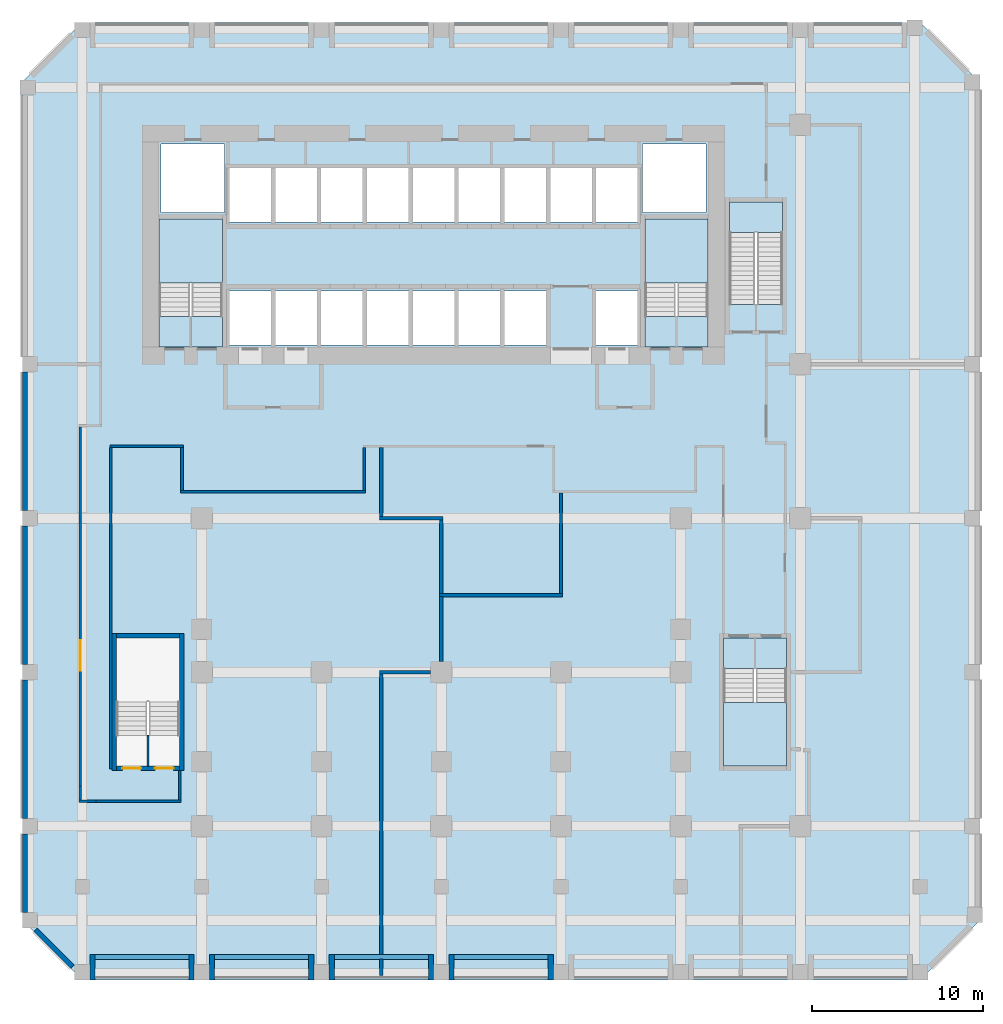
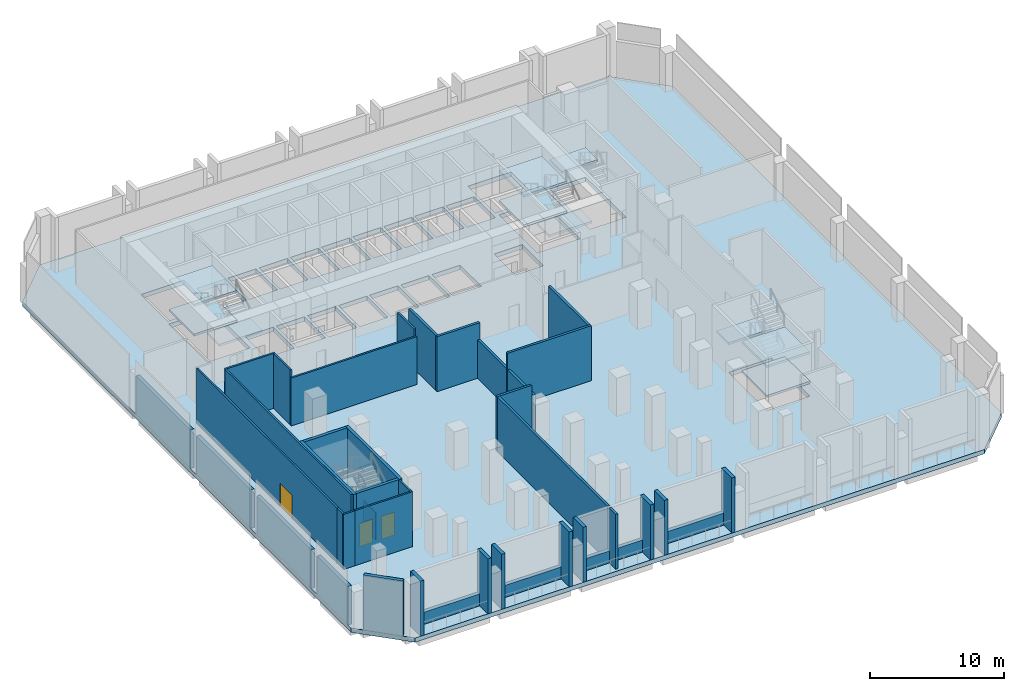
# One storey, part 2 of 10: 41 walls, 11 slabs, 3 doors, 3 openings, 4 elements without a shape of their own.
"""IFC4 building model written with IfcOpenShell, lengths in metres."""

from ifc_helpers import new_model, si_unit, direction, frame, frame_2d, origin, place, context, subcontext, project, spatial, polyline, rectangle, outline, extrude, source, transform, mapped, material, layer, layer_set, type_object, element, fill, aggregate, save


model = new_model("IFC4")

# Units and contexts
model_context = context("Model", 3, precision=1e-05, world=origin(), true_north=direction((0.0, 1.0)))
body_context = subcontext(model_context, "Body", "Model", "MODEL_VIEW")
ifc_project = project(units=[si_unit("LENGTHUNIT", "METRE"), si_unit("AREAUNIT", "SQUARE_METRE"), si_unit("VOLUMEUNIT", "CUBIC_METRE"), si_unit("PLANEANGLEUNIT", "RADIAN"), si_unit("MASSUNIT", "GRAM", prefix="KILO")], contexts=[model_context])

# Site, building, storey
site_placement = place(None, origin())
site = spatial("IfcSite", under=ifc_project, at=site_placement, CompositionType="ELEMENT")
building_placement = place(site_placement, origin())
building = spatial("IfcBuilding", under=site, at=building_placement, Name="Kilnfold Tower and Market Hall", CompositionType="ELEMENT")
storey_placement = place(building_placement, frame((0.0, 0.0, 95.199951171875)))
storey = spatial("IfcBuildingStorey", under=building, at=storey_placement, Name="L22 Refuge Transfer Level", CompositionType="ELEMENT", Elevation=95.199951171875)

# Slab
ifc_material_1 = material(Name="Concrete C45", Category="concrete")
ifc_layer_1 = layer(ifc_material_1, 0.39990234375)
ifc_layer_set_1 = layer_set([ifc_layer_1], Name="Concrete C45")
slab_type_1 = type_object("IfcSlabType", Name="FLOOR SLAB 400", PredefinedType="FLOOR", material=ifc_layer_set_1)
shared_shape_1 = source(origin(), body_context, "Body", "SweptSolid", [
    extrude(outline(polyline([(-19.5, -28.0), (29.5, -28.0), (33.0, -24.5), (33.0, 24.5), (29.5, 28.0), (-19.5, 28.0), (-23.0, 24.5), (-23.0, -24.5), (-19.5, -28.0)]), holes=[polyline([(-13.800537109375, -13.699462890625), (-17.49951171875, -13.699462890625), (-17.49951171875, -8.00048828125), (-13.800537109375, -8.00048828125), (-13.800537109375, -13.699462890625)]), polyline([(-14.99951171875, 10.800537109375), (-14.99951171875, 16.49951171875), (-11.300537109375, 16.49951171875), (-11.300537109375, 10.800537109375), (-14.99951171875, 10.800537109375)]), polyline([(-14.875, 16.875), (-14.875, 20.875), (-11.175048828125, 20.875), (-11.175048828125, 16.875), (-14.875, 16.875)]), polyline([(-10.885009765625, 9.125), (-10.885009765625, 12.27490234375), (-8.455078125, 12.27490234375), (-8.455078125, 9.125), (-10.885009765625, 9.125)]), polyline([(-8.455078125, 16.324951171875), (-10.885009765625, 16.324951171875), (-10.885009765625, 19.47509765625), (-8.455078125, 19.47509765625), (-8.455078125, 16.324951171875)]), polyline([(-8.205078125, 9.125), (-8.205078125, 12.27490234375), (-5.77490234375, 12.27490234375), (-5.77490234375, 9.125), (-8.205078125, 9.125)]), polyline([(-8.205078125, 16.324951171875), (-8.205078125, 19.47509765625), (-5.77490234375, 19.47509765625), (-5.77490234375, 16.324951171875), (-8.205078125, 16.324951171875)]), polyline([(-3.094970703125, 9.125), (-5.52490234375, 9.125), (-5.52490234375, 12.27490234375), (-3.094970703125, 12.27490234375), (-3.094970703125, 9.125)]), polyline([(-5.52490234375, 16.324951171875), (-5.52490234375, 19.47509765625), (-3.094970703125, 19.47509765625), (-3.094970703125, 16.324951171875), (-5.52490234375, 16.324951171875)]), polyline([(-2.844970703125, 9.125), (-2.844970703125, 12.27490234375), (-0.4150390625, 12.27490234375), (-0.4150390625, 9.125), (-2.844970703125, 9.125)]), polyline([(-0.4150390625, 16.324951171875), (-2.844970703125, 16.324951171875), (-2.844970703125, 19.47509765625), (-0.4150390625, 19.47509765625), (-0.4150390625, 16.324951171875)]), polyline([(-0.1650390625, 9.125), (-0.1650390625, 12.27490234375), (2.264892578125, 12.27490234375), (2.264892578125, 9.125), (-0.1650390625, 9.125)]), polyline([(-0.1650390625, 16.324951171875), (-0.1650390625, 19.47509765625), (2.264892578125, 19.47509765625), (2.264892578125, 16.324951171875), (-0.1650390625, 16.324951171875)]), polyline([(2.514892578125, 9.125), (2.514892578125, 12.27490234375), (4.945068359375, 12.27490234375), (4.945068359375, 9.125), (2.514892578125, 9.125)]), polyline([(2.514892578125, 16.324951171875), (2.514892578125, 19.47509765625), (4.945068359375, 19.47509765625), (4.945068359375, 16.324951171875), (2.514892578125, 16.324951171875)]), polyline([(7.625, 9.125), (5.195068359375, 9.125), (5.195068359375, 12.27490234375), (7.625, 12.27490234375), (7.625, 9.125)]), polyline([(5.195068359375, 16.324951171875), (5.195068359375, 19.47509765625), (7.625, 19.47509765625), (7.625, 16.324951171875), (5.195068359375, 16.324951171875)]), polyline([(10.304931640625, 16.324951171875), (7.875, 16.324951171875), (7.875, 19.47509765625), (10.304931640625, 19.47509765625), (10.304931640625, 16.324951171875)]), polyline([(10.554931640625, 9.125), (10.554931640625, 12.27490234375), (12.985107421875, 12.27490234375), (12.985107421875, 9.125), (10.554931640625, 9.125)]), polyline([(10.554931640625, 16.324951171875), (10.554931640625, 19.47509765625), (12.985107421875, 19.47509765625), (12.985107421875, 16.324951171875), (10.554931640625, 16.324951171875)]), polyline([(13.27490234375, 16.875), (13.27490234375, 20.875), (16.97509765625, 20.875), (16.97509765625, 16.875), (13.27490234375, 16.875)]), polyline([(13.400390625, 10.800537109375), (13.400390625, 16.49951171875), (17.099609375, 16.49951171875), (17.099609375, 10.800537109375), (13.400390625, 10.800537109375)]), polyline([(18.00048828125, -9.800537109375), (21.699462890625, -9.800537109375), (21.699462890625, -15.49951171875), (18.00048828125, -15.49951171875), (18.00048828125, -9.800537109375)]), polyline([(21.449462890625, 11.50048828125), (18.3505859375, 11.50048828125), (18.3505859375, 17.49951171875), (21.449462890625, 17.49951171875), (21.449462890625, 11.50048828125)])]), origin(), (0.0, 0.0, 1.0), 0.400146484375),
])
slab_1_placement = place(storey_placement, frame((0.0, 0.0, -0.400146484375)))
element("IfcSlab", 1, at=slab_1_placement, inside=storey, type_object=slab_type_1, Name="Floor slab L22", PredefinedType="FLOOR", context=body_context, shape_type="MappedRepresentation", body=[
    mapped(shared_shape_1, transform((0.0, 0.0, 0.0))),
])

# Stair, slabs
ifc_material_2 = material(Name="Concrete C40/50", Category="concrete")
stair_type_1 = type_object("IfcStairType", Name="CORE STAIR 1800", PredefinedType="HALF_TURN_STAIR", material=ifc_material_2)
stair_1_placement = place(storey_placement, origin())
stair_1 = element("IfcStair", 2, at=stair_1_placement, inside=storey, type_object=stair_type_1, Name="L22 Refuge Transfer Level ST1", PredefinedType="HALF_TURN_STAIR")
ifc_material_3 = material(Name="Concrete C40/50", Category="concrete")
ifc_layer_2 = layer(ifc_material_3, 0.199951171875)
ifc_layer_set_2 = layer_set([ifc_layer_2], Name="Concrete C40/50")
slab_type_2 = type_object("IfcSlabType", Name="CORE STAIR LANDING 200", PredefinedType="LANDING", material=ifc_layer_set_2)
shared_shape_2 = source(origin(), body_context, "Body", "SweptSolid", [
    extrude(outline(polyline([(-11.300048828125, 9.0), (-11.300048828125, 10.800048828125), (-15.0, 10.800048828125), (-15.0, 9.0), (-11.300048828125, 9.0)])), origin(), (0.0, 0.0, 1.0), 0.199951171875),
])
slab_2_placement = place(storey_placement, frame((0.0, 0.0, 2.5)))
slab_2 = element("IfcSlab", 3, at=slab_2_placement, type_object=slab_type_2, Name="ST1 landing 2", PredefinedType="LANDING", context=body_context, shape_type="MappedRepresentation", body=[
    mapped(shared_shape_2, transform((0.0, 0.0, 0.0))),
])
shared_shape_3 = source(origin(), body_context, "Body", "SweptSolid", [
    extrude(outline(polyline([(-11.300048828125, 12.760009765625), (-11.300048828125, 16.5), (-15.0, 16.5), (-15.0, 12.760009765625), (-11.300048828125, 12.760009765625)])), origin(), (0.0, 0.0, 1.0), 0.199951171875),
])
slab_3_placement = place(storey_placement, frame((0.0, 0.0, 1.150146484375)))
slab_3 = element("IfcSlab", 4, at=slab_3_placement, type_object=slab_type_2, Name="ST1 landing 1", PredefinedType="LANDING", context=body_context, shape_type="MappedRepresentation", body=[
    mapped(shared_shape_3, transform((0.0, 0.0, 0.0))),
])
slab_4_placement = place(storey_placement, frame((0.0, 0.0, 3.85009765625)))
slab_4 = element("IfcSlab", 5, at=slab_4_placement, type_object=slab_type_2, Name="ST1 landing 3", PredefinedType="LANDING", context=body_context, shape_type="MappedRepresentation", body=[
    mapped(shared_shape_3, transform((0.0, 0.0, 0.0))),
])
aggregate(stair_1, [slab_3, slab_2, slab_4])

stair_2_placement = place(storey_placement, origin())
stair_2 = element("IfcStair", 6, at=stair_2_placement, inside=storey, type_object=stair_type_1, Name="L22 Refuge Transfer Level ST2", PredefinedType="HALF_TURN_STAIR")
shared_shape_4 = source(origin(), body_context, "Body", "SweptSolid", [
    extrude(outline(polyline([(17.10009765625, 9.0), (17.10009765625, 10.800048828125), (13.39990234375, 10.800048828125), (13.39990234375, 9.0), (17.10009765625, 9.0)])), origin(), (0.0, 0.0, 1.0), 0.199951171875),
])
slab_5_placement = place(storey_placement, frame((0.0, 0.0, 2.5)))
slab_5 = element("IfcSlab", 7, at=slab_5_placement, type_object=slab_type_2, Name="ST2 landing 2", PredefinedType="LANDING", context=body_context, shape_type="MappedRepresentation", body=[
    mapped(shared_shape_4, transform((0.0, 0.0, 0.0))),
])
shared_shape_5 = source(origin(), body_context, "Body", "SweptSolid", [
    extrude(outline(polyline([(17.10009765625, 12.760009765625), (17.10009765625, 16.5), (13.39990234375, 16.5), (13.39990234375, 12.760009765625), (17.10009765625, 12.760009765625)])), origin(), (0.0, 0.0, 1.0), 0.199951171875),
])
slab_6_placement = place(storey_placement, frame((0.0, 0.0, 1.150146484375)))
slab_6 = element("IfcSlab", 8, at=slab_6_placement, type_object=slab_type_2, Name="ST2 landing 1", PredefinedType="LANDING", context=body_context, shape_type="MappedRepresentation", body=[
    mapped(shared_shape_5, transform((0.0, 0.0, 0.0))),
])
slab_7_placement = place(storey_placement, frame((0.0, 0.0, 3.85009765625)))
slab_7 = element("IfcSlab", 9, at=slab_7_placement, type_object=slab_type_2, Name="ST2 landing 3", PredefinedType="LANDING", context=body_context, shape_type="MappedRepresentation", body=[
    mapped(shared_shape_5, transform((0.0, 0.0, 0.0))),
])
aggregate(stair_2, [slab_6, slab_5, slab_7])

stair_3_placement = place(storey_placement, origin())
stair_3 = element("IfcStair", 10, at=stair_3_placement, inside=storey, type_object=stair_type_1, Name="L22 Refuge Transfer Level ST4", PredefinedType="HALF_TURN_STAIR")
shared_shape_6 = source(origin(), body_context, "Body", "SweptSolid", [
    extrude(outline(polyline([(18.0, -8.0), (18.0, -9.800048828125), (21.699951171875, -9.800048828125), (21.699951171875, -8.0), (18.0, -8.0)])), origin(), (0.0, 0.0, 1.0), 0.199951171875),
])
slab_8_placement = place(storey_placement, frame((0.0, 0.0, 2.5)))
slab_8 = element("IfcSlab", 11, at=slab_8_placement, type_object=slab_type_2, Name="ST4 landing 2", PredefinedType="LANDING", context=body_context, shape_type="MappedRepresentation", body=[
    mapped(shared_shape_6, transform((0.0, 0.0, 0.0))),
])
shared_shape_7 = source(origin(), body_context, "Body", "SweptSolid", [
    extrude(outline(polyline([(18.0, -11.760009765625), (18.0, -15.5), (21.699951171875, -15.5), (21.699951171875, -11.760009765625), (18.0, -11.760009765625)])), origin(), (0.0, 0.0, 1.0), 0.199951171875),
])
slab_9_placement = place(storey_placement, frame((0.0, 0.0, 1.150146484375)))
slab_9 = element("IfcSlab", 12, at=slab_9_placement, type_object=slab_type_2, Name="ST4 landing 1", PredefinedType="LANDING", context=body_context, shape_type="MappedRepresentation", body=[
    mapped(shared_shape_7, transform((0.0, 0.0, 0.0))),
])
slab_10_placement = place(storey_placement, frame((0.0, 0.0, 3.85009765625)))
slab_10 = element("IfcSlab", 13, at=slab_10_placement, type_object=slab_type_2, Name="ST4 landing 3", PredefinedType="LANDING", context=body_context, shape_type="MappedRepresentation", body=[
    mapped(shared_shape_7, transform((0.0, 0.0, 0.0))),
])
aggregate(stair_3, [slab_9, slab_8, slab_10])

# Stair, slab
ifc_material_4 = material(Name="Concrete C40/50", Category="concrete")
stair_type_2 = type_object("IfcStairType", Name="CORE STAIR 1500", PredefinedType="HALF_TURN_STAIR", material=ifc_material_4)
stair_4_placement = place(storey_placement, origin())
stair_4 = element("IfcStair", 14, at=stair_4_placement, inside=storey, type_object=stair_type_2, Name="L22 Refuge Transfer Level ST5", PredefinedType="HALF_TURN_STAIR")
shared_shape_8 = source(origin(), body_context, "Body", "SweptSolid", [
    extrude(outline(polyline([(21.449951171875, 15.699951171875), (21.449951171875, 17.5), (18.35009765625, 17.5), (18.35009765625, 15.699951171875), (21.449951171875, 15.699951171875)])), origin(), (0.0, 0.0, 1.0), 0.199951171875),
])
slab_11_placement = place(storey_placement, frame((0.0, 0.0, 2.5)))
slab_11 = element("IfcSlab", 15, at=slab_11_placement, type_object=slab_type_2, Name="ST5 landing 1", PredefinedType="LANDING", context=body_context, shape_type="MappedRepresentation", body=[
    mapped(shared_shape_8, transform((0.0, 0.0, 0.0))),
])
aggregate(stair_4, [slab_11])

# Wall, opening, door
ifc_material_5 = material(Name="Gypsum board on steel studs", Category="steel")
ifc_layer_3 = layer(ifc_material_5, 0.14990234375)
ifc_layer_set_3 = layer_set([ifc_layer_3], Name="Gypsum board on steel studs")
wall_type_1 = type_object("IfcWallType", Name="WALL CORRIDOR 150", PredefinedType="PARTITIONING", material=ifc_layer_set_3)
wall_1_placement = place(storey_placement, frame((-19.60009765625, 4.324951171875, 0.0), z_axis=(0.0, 0.0, 1.0), x_axis=(0.0, -1.0, 0.0)))
wall_1 = element("IfcWall", 16, at=wall_1_placement, inside=storey, type_object=wall_type_1, Name="Partition LY15.1", PredefinedType="PARTITIONING", context=body_context, shape_type="SweptSolid", body=[
    extrude(rectangle(XDim=20.972900390625, YDim=0.14990234375, at=frame_2d((10.486328125, 0.0))), origin(), (0.0, 0.0, 1.0), 5.0),
])
opening_1_placement = place(wall_1_placement, frame((12.447998046875, 0.0, 0.0)))
opening_1 = element("IfcOpeningElement", 17, at=opening_1_placement, cuts=wall_1, Name="Opening D5", PredefinedType="OPENING", context=body_context, shape_type="SweptSolid", body=[
    extrude(rectangle(XDim=1.800048828125, YDim=2.10009765625, at=frame_2d((0.89990234375, 1.050048828125))), frame((0.0, 0.0849609375, 0.0), z_axis=(0.0, -1.0, 0.0), x_axis=(1.0, 0.0, 0.0)), (0.0, 0.0, 1.0), 0.169921875),
])
ifc_material_6 = material(Name="Timber veneer door leaf in steel frame", Category="steel")
door_type_1 = type_object("IfcDoorType", Name="DOOR DOUBLE 1800 X2100", OperationType="NOTDEFINED", PredefinedType="DOOR", material=ifc_material_6)
door_1_placement = place(opening_1_placement, origin())
door_1 = element("IfcDoor", 18, at=door_1_placement, inside=storey, type_object=door_type_1, Name="Door D5", OperationType="DOUBLE_DOOR_SINGLE_SWING", OverallHeight=2.10009765625, OverallWidth=1.800048828125, PredefinedType="DOOR", context=body_context, shape_type="SweptSolid", body=[
    extrude(rectangle(XDim=1.800048828125, YDim=2.10009765625, at=frame_2d((0.89990234375, 1.050048828125))), frame((0.0, 0.02490234375, 0.0), z_axis=(0.0, -1.0, 0.0), x_axis=(1.0, 0.0, 0.0)), (0.0, 0.0, 1.0), 0.050048828125),
])
fill(opening_1, door_1)

# Walls
wall_2_placement = place(storey_placement, frame((-3.0, 0.625, 0.0), z_axis=(0.0, 0.0, 1.0), x_axis=(0.0, 1.0, 0.0)))
element("IfcWall", 19, at=wall_2_placement, inside=storey, type_object=wall_type_1, Name="Partition LY15.5", PredefinedType="PARTITIONING", context=body_context, shape_type="SweptSolid", body=[
    extrude(rectangle(XDim=2.5, YDim=0.14990234375, at=frame_2d((1.25, 0.0))), origin(), (0.0, 0.0, 1.0), 5.0),
])
wall_3_placement = place(storey_placement, frame((-13.735107421875, 0.550048828125, 0.0), z_axis=(0.0, 0.0, 1.0), x_axis=(1.0, 0.0, 0.0)))
element("IfcWall", 20, at=wall_3_placement, inside=storey, type_object=wall_type_1, Name="Partition LY15.6", PredefinedType="PARTITIONING", context=body_context, shape_type="SweptSolid", body=[
    extrude(rectangle(XDim=10.81005859375, YDim=0.14990234375, at=frame_2d((5.405029296875, 0.0))), origin(), (0.0, 0.0, 1.0), 4.35009765625),
])
wall_4_placement = place(storey_placement, frame((-13.659912109375, 3.125, 0.0), z_axis=(0.0, 0.0, 1.0), x_axis=(0.0, -1.0, 0.0)))
element("IfcWall", 21, at=wall_4_placement, inside=storey, type_object=wall_type_1, Name="Partition LY15.7", PredefinedType="PARTITIONING", context=body_context, shape_type="SweptSolid", body=[
    extrude(rectangle(XDim=2.5, YDim=0.14990234375, at=frame_2d((1.25, 0.0))), origin(), (0.0, 0.0, 1.0), 5.0),
])
wall_5_placement = place(storey_placement, frame((-17.875, 3.199951171875, 0.0), z_axis=(0.0, 0.0, 1.0), x_axis=(1.0, 0.0, 0.0)))
element("IfcWall", 22, at=wall_5_placement, inside=storey, type_object=wall_type_1, Name="Partition LY15.8", PredefinedType="PARTITIONING", context=body_context, shape_type="SweptSolid", body=[
    extrude(rectangle(XDim=4.2900390625, YDim=0.14990234375, at=frame_2d((2.14501953125, 0.0))), origin(), (0.0, 0.0, 1.0), 5.0),
])
wall_6_placement = place(storey_placement, frame((-17.830078125, -15.675048828125, 0.0), z_axis=(0.0, 0.0, 1.0), x_axis=(0.0, 1.0, 0.0)))
element("IfcWall", 23, at=wall_6_placement, inside=storey, type_object=wall_type_1, Name="Partition LY15.9", PredefinedType="PARTITIONING", context=body_context, shape_type="SweptSolid", body=[
    extrude(rectangle(XDim=18.800048828125, YDim=0.14990234375, at=frame_2d((9.39990234375, 0.0))), origin(), (0.0, 0.0, 1.0), 5.0),
])
wall_7_placement = place(storey_placement, frame((-13.800048828125, -17.47509765625, 0.0), z_axis=(0.0, 0.0, 1.0), x_axis=(0.0, 1.0, 0.0)))
element("IfcWall", 24, at=wall_7_placement, inside=storey, type_object=wall_type_1, Name="Partition LY15.10", PredefinedType="PARTITIONING", context=body_context, shape_type="SweptSolid", body=[
    extrude(rectangle(XDim=1.72509765625, YDim=0.14990234375, at=frame_2d((0.862548828125, 0.0))), origin(), (0.0, 0.0, 1.0), 5.0),
])
wall_8_placement = place(storey_placement, frame((-18.697998046875, -17.550048828125, 0.0), z_axis=(0.0, 0.0, 1.0), x_axis=(1.0, 0.0, 0.0)))
element("IfcWall", 25, at=wall_8_placement, inside=storey, type_object=wall_type_1, Name="Partition LY15.11", PredefinedType="PARTITIONING", context=body_context, shape_type="SweptSolid", body=[
    extrude(rectangle(XDim=4.972900390625, YDim=0.14990234375, at=frame_2d((2.486328125, 0.0))), origin(), (0.0, 0.0, 1.0), 5.0),
])
wall_9_placement = place(storey_placement, frame((-19.677001953125, -17.552001953125, 0.0), z_axis=(0.0, 0.0, 1.0), x_axis=(1.0, 0.0, 0.0)))
element("IfcWall", 26, at=wall_9_placement, inside=storey, type_object=wall_type_1, Name="Partition LY15.12", PredefinedType="PARTITIONING", context=body_context, shape_type="SweptSolid", body=[
    extrude(rectangle(XDim=0.97900390625, YDim=0.14990234375, at=frame_2d((0.489501953125, 0.0))), origin(), (0.0, 0.0, 1.0), 5.0),
])
wall_10_placement = place(storey_placement, frame((-19.60205078125, -16.64794921875, 0.0), z_axis=(0.0, 0.0, 1.0), x_axis=(0.0, -1.0, 0.0)))
element("IfcWall", 27, at=wall_10_placement, inside=storey, type_object=wall_type_1, Name="Partition LY15.13", PredefinedType="PARTITIONING", context=body_context, shape_type="SweptSolid", body=[
    extrude(rectangle(XDim=0.8291015625, YDim=0.14990234375, at=frame_2d((0.41455078125, 0.0))), origin(), (0.0, 0.0, 1.0), 5.0),
])
ifc_material_7 = material(Name="Gypsum board on steel studs", Category="steel")
ifc_layer_4 = layer(ifc_material_7, 0.199951171875)
ifc_layer_set_4 = layer_set([ifc_layer_4], Name="Gypsum board on steel studs")
wall_type_2 = type_object("IfcWallType", Name="WALL PARTY 200", PredefinedType="PARTITIONING", material=ifc_layer_set_4)
wall_11_placement = place(storey_placement, frame((-2.0, -0.89990234375, 0.0), z_axis=(0.0, 0.0, 1.0), x_axis=(0.0, 1.0, 0.0)))
element("IfcWall", 28, at=wall_11_placement, inside=storey, type_object=wall_type_2, Name="Partition LY15.27", PredefinedType="PARTITIONING", context=body_context, shape_type="SweptSolid", body=[
    extrude(rectangle(XDim=4.02294921875, YDim=0.199951171875, at=frame_2d((2.011474609375, 0.0))), origin(), (0.0, 0.0, 1.0), 5.0),
])
wall_12_placement = place(storey_placement, frame((-2.10009765625, -1.0, 0.0), z_axis=(0.0, 0.0, 1.0), x_axis=(1.0, 0.0, 0.0)))
element("IfcWall", 29, at=wall_12_placement, inside=storey, type_object=wall_type_2, Name="Partition LY15.28", PredefinedType="PARTITIONING", context=body_context, shape_type="SweptSolid", body=[
    extrude(rectangle(XDim=3.7001953125, YDim=0.199951171875, at=frame_2d((1.85009765625, 0.0))), origin(), (0.0, 0.0, 1.0), 5.0),
])
wall_13_placement = place(storey_placement, frame((1.5, -5.409912109375, 0.0), z_axis=(0.0, 0.0, 1.0), x_axis=(0.0, 1.0, 0.0)))
element("IfcWall", 30, at=wall_13_placement, inside=storey, type_object=wall_type_2, Name="Partition LY15.29", PredefinedType="PARTITIONING", context=body_context, shape_type="SweptSolid", body=[
    extrude(rectangle(XDim=4.309814453125, YDim=0.199951171875, at=frame_2d((2.15478515625, 0.0))), origin(), (0.0, 0.0, 1.0), 3.5),
])
wall_14_placement = place(storey_placement, frame((1.5, -9.375, 0.0), z_axis=(0.0, 0.0, 1.0), x_axis=(0.0, 1.0, 0.0)))
element("IfcWall", 31, at=wall_14_placement, inside=storey, type_object=wall_type_2, Name="Partition LY15.30", PredefinedType="PARTITIONING", context=body_context, shape_type="SweptSolid", body=[
    extrude(rectangle(XDim=3.784912109375, YDim=0.199951171875, at=frame_2d((1.892578125, 0.0))), origin(), (0.0, 0.0, 1.0), 3.5),
])
wall_15_placement = place(storey_placement, frame((-2.10009765625, -10.0, 0.0), z_axis=(0.0, 0.0, 1.0), x_axis=(1.0, 0.0, 0.0)))
element("IfcWall", 32, at=wall_15_placement, inside=storey, type_object=wall_type_2, Name="Partition LY15.31", PredefinedType="PARTITIONING", context=body_context, shape_type="SweptSolid", body=[
    extrude(rectangle(XDim=2.97509765625, YDim=0.199951171875, at=frame_2d((1.487548828125, 0.0))), origin(), (0.0, 0.0, 1.0), 5.0),
])
wall_16_placement = place(storey_placement, frame((-2.0, -27.75, 0.0), z_axis=(0.0, 0.0, 1.0), x_axis=(0.0, 1.0, 0.0)))
element("IfcWall", 33, at=wall_16_placement, inside=storey, type_object=wall_type_2, Name="Partition LY15.32", PredefinedType="PARTITIONING", context=body_context, shape_type="SweptSolid", body=[
    extrude(rectangle(XDim=0.97998046875, YDim=0.199951171875, at=frame_2d((0.489990234375, 0.0))), origin(), (0.0, 0.0, 1.0), 5.0),
])
wall_17_placement = place(storey_placement, frame((-2.0, -26.530029296875, 0.0), z_axis=(0.0, 0.0, 1.0), x_axis=(0.0, 1.0, 0.0)))
element("IfcWall", 34, at=wall_17_placement, inside=storey, type_object=wall_type_2, Name="Partition LY15.33", PredefinedType="PARTITIONING", context=body_context, shape_type="SweptSolid", body=[
    extrude(rectangle(XDim=16.429931640625, YDim=0.199951171875, at=frame_2d((8.21484375, 0.0))), origin(), (0.0, 0.0, 1.0), 5.0),
])
wall_18_placement = place(storey_placement, frame((1.39990234375, -5.5, 0.0), z_axis=(0.0, 0.0, 1.0), x_axis=(1.0, 0.0, 0.0)))
element("IfcWall", 35, at=wall_18_placement, inside=storey, type_object=wall_type_2, Name="Partition LY15.35", PredefinedType="PARTITIONING", context=body_context, shape_type="SweptSolid", body=[
    extrude(rectangle(XDim=7.2001953125, YDim=0.199951171875, at=frame_2d((3.60009765625, 0.0))), origin(), (0.0, 0.0, 1.0), 5.0),
])
wall_19_placement = place(storey_placement, frame((8.5, -5.39990234375, 0.0), z_axis=(0.0, 0.0, 1.0), x_axis=(0.0, 1.0, 0.0)))
element("IfcWall", 36, at=wall_19_placement, inside=storey, type_object=wall_type_2, Name="Partition LY15.36", PredefinedType="PARTITIONING", context=body_context, shape_type="SweptSolid", body=[
    extrude(rectangle(XDim=5.872802734375, YDim=0.199951171875, at=frame_2d((2.9365234375, 0.0))), origin(), (0.0, 0.0, 1.0), 5.0),
])

# Wall, openings, doors
ifc_material_8 = material(Name="Concrete C80", Category="concrete")
ifc_layer_5 = layer(ifc_material_8, 0.25)
ifc_layer_set_5 = layer_set([ifc_layer_5], Name="Concrete C80")
wall_type_3 = type_object("IfcWallType", Name="CORE WALL 250 C80", PredefinedType="SHEAR", material=ifc_layer_set_5)
shared_shape_9 = source(origin(), body_context, "Body", "SweptSolid", [
    extrude(rectangle(XDim=3.699951171875, YDim=0.25, at=frame_2d((1.85009765625, 0.0))), origin(), (0.0, 0.0, 1.0), 5.0),
])
wall_20_placement = place(storey_placement, frame((-17.5, -15.625, 0.0), z_axis=(0.0, 0.0, 1.0), x_axis=(1.0, 0.0, 0.0)))
wall_20 = element("IfcWall", 37, at=wall_20_placement, inside=storey, type_object=wall_type_3, Name="Stair enclosure ST3", PredefinedType="SHEAR", context=body_context, shape_type="MappedRepresentation", body=[
    mapped(shared_shape_9, transform((0.0, 0.0, 0.0))),
])
opening_2_placement = place(wall_20_placement, frame((0.35009765625, 0.0, 0.0)))
opening_2 = element("IfcOpeningElement", 38, at=opening_2_placement, cuts=wall_20, Name="Opening SD3", PredefinedType="OPENING", context=body_context, shape_type="SweptSolid", body=[
    extrude(rectangle(XDim=1.10009765625, YDim=2.10009765625, at=frame_2d((0.550048828125, 1.050048828125))), frame((0.0, 0.135009765625, 0.0), z_axis=(0.0, -1.0, 0.0), x_axis=(1.0, 0.0, 0.0)), (0.0, 0.0, 1.0), 0.27001953125),
])
opening_3_placement = place(wall_20_placement, frame((2.25, 0.0, 0.0)))
opening_3 = element("IfcOpeningElement", 39, at=opening_3_placement, cuts=wall_20, Name="Opening SD3", PredefinedType="OPENING", context=body_context, shape_type="SweptSolid", body=[
    extrude(rectangle(XDim=1.10009765625, YDim=2.10009765625, at=frame_2d((0.550048828125, 1.050048828125))), frame((0.0, 0.135009765625, 0.0), z_axis=(0.0, -1.0, 0.0), x_axis=(1.0, 0.0, 0.0)), (0.0, 0.0, 1.0), 0.27001953125),
])
ifc_material_9 = material(Name="Steel door set with fire-resisting leaf", Category="steel")
door_type_2 = type_object("IfcDoorType", Name="STAIR REFUGE DOOR 1100X2100", OperationType="NOTDEFINED", PredefinedType="DOOR", material=ifc_material_9)
door_2_placement = place(opening_2_placement, origin())
door_2 = element("IfcDoor", 40, at=door_2_placement, inside=storey, type_object=door_type_2, Name="Exit stair ST3 door from refuge", OperationType="SINGLE_SWING_RIGHT", OverallHeight=2.10009765625, OverallWidth=1.10009765625, PredefinedType="DOOR", context=body_context, shape_type="SweptSolid", body=[
    extrude(rectangle(XDim=1.10009765625, YDim=2.10009765625, at=frame_2d((0.550048828125, 1.050048828125))), frame((0.0, 0.02490234375, 0.0), z_axis=(0.0, -1.0, 0.0), x_axis=(1.0, 0.0, 0.0)), (0.0, 0.0, 1.0), 0.050048828125),
])
fill(opening_2, door_2)
door_3_placement = place(opening_3_placement, origin())
door_3 = element("IfcDoor", 41, at=door_3_placement, inside=storey, type_object=door_type_2, Name="Exit stair ST3 door to refuge", OperationType="SINGLE_SWING_LEFT", OverallHeight=2.10009765625, OverallWidth=1.10009765625, PredefinedType="DOOR", context=body_context, shape_type="SweptSolid", body=[
    extrude(rectangle(XDim=1.10009765625, YDim=2.10009765625, at=frame_2d((0.550048828125, 1.050048828125))), frame((0.0, 0.02490234375, 0.0), z_axis=(0.0, -1.0, 0.0), x_axis=(1.0, 0.0, 0.0)), (0.0, 0.0, 1.0), 0.050048828125),
])
fill(opening_3, door_3)

# Walls
wall_21_placement = place(storey_placement, frame((-17.5, -7.875, 0.0), z_axis=(0.0, 0.0, 1.0), x_axis=(1.0, 0.0, 0.0)))
element("IfcWall", 42, at=wall_21_placement, inside=storey, type_object=wall_type_3, Name="Stair enclosure ST3", PredefinedType="SHEAR", context=body_context, shape_type="MappedRepresentation", body=[
    mapped(shared_shape_9, transform((0.0, 0.0, 0.0))),
])
shared_shape_10 = source(origin(), body_context, "Body", "SweptSolid", [
    extrude(rectangle(XDim=8.0, YDim=0.25, at=frame_2d((4.0, 0.0))), origin(), (0.0, 0.0, 1.0), 5.0),
])
for number, where, z_axis, x_axis, name in (
    (43, (-17.625, -15.75, 0.0), (0.0, 0.0, 1.0), (0.0, 1.0, 0.0), "Stair enclosure ST3"),
    (44, (-13.675048828125, -15.75, 0.0), (0.0, 0.0, 1.0), (0.0, 1.0, 0.0), "Stair enclosure ST3"),
):
    element("IfcWall", number, at=place(storey_placement, frame(where, z_axis=z_axis, x_axis=x_axis)), inside=storey, type_object=wall_type_3, Name=name, PredefinedType="SHEAR", context=body_context, shape_type="MappedRepresentation", body=[
        mapped(shared_shape_10, transform((0.0, 0.0, 0.0))),
    ])
ifc_material_10 = material(Name="Precast concrete C50/60", Category="concrete")
ifc_layer_6 = layer(ifc_material_10, 0.300048828125)
ifc_layer_set_6 = layer_set([ifc_layer_6], Name="Precast concrete C50/60")
wall_type_4 = type_object("IfcWallType", Name="PRECAST WALL 300", PredefinedType="SOLIDWALL", material=ifc_layer_set_6)
shared_shape_11 = source(origin(), body_context, "Body", "SweptSolid", [
    extrude(rectangle(XDim=5.5, YDim=0.300048828125, at=frame_2d((2.75, 0.0))), origin(), (0.0, 0.0, 1.0), 1.10009765625),
])
for number, where, z_axis, x_axis, name in (
    (45, (-18.75, -26.64990234375, 0.0), (0.0, 0.0, 1.0), (1.0, 0.0, 0.0), "Knee wall L22 S"),
    (46, (-11.75, -26.64990234375, 0.0), (0.0, 0.0, 1.0), (1.0, 0.0, 0.0), "Knee wall L22 S"),
    (47, (-4.75, -26.64990234375, 0.0), (0.0, 0.0, 1.0), (1.0, 0.0, 0.0), "Knee wall L22 S"),
    (48, (2.25, -26.64990234375, 0.0), (0.0, 0.0, 1.0), (1.0, 0.0, 0.0), "Knee wall L22 S"),
):
    element("IfcWall", number, at=place(storey_placement, frame(where, z_axis=z_axis, x_axis=x_axis)), inside=storey, type_object=wall_type_4, Name=name, PredefinedType="SOLIDWALL", context=body_context, shape_type="MappedRepresentation", body=[
        mapped(shared_shape_11, transform((0.0, 0.0, 0.0))),
    ])
shared_shape_12 = source(origin(), body_context, "Body", "SweptSolid", [
    extrude(rectangle(XDim=1.5, YDim=0.300048828125, at=frame_2d((0.75, 0.0))), origin(), (0.0, 0.0, 1.0), 5.0),
])
for number, where, z_axis, x_axis, name in (
    (49, (-18.89990234375, -28.0, 0.0), (0.0, 0.0, 1.0), (0.0, 1.0, 0.0), "Plant wall L22 S"),
    (50, (-13.10009765625, -28.0, 0.0), (0.0, 0.0, 1.0), (0.0, 1.0, 0.0), "Plant wall L22 S"),
    (51, (-11.89990234375, -28.0, 0.0), (0.0, 0.0, 1.0), (0.0, 1.0, 0.0), "Plant wall L22 S"),
    (52, (-6.10009765625, -28.0, 0.0), (0.0, 0.0, 1.0), (0.0, 1.0, 0.0), "Plant wall L22 S"),
    (53, (-4.89990234375, -28.0, 0.0), (0.0, 0.0, 1.0), (0.0, 1.0, 0.0), "Plant wall L22 S"),
    (54, (0.89990234375, -28.0, 0.0), (0.0, 0.0, 1.0), (0.0, 1.0, 0.0), "Plant wall L22 S"),
    (55, (2.10009765625, -28.0, 0.0), (0.0, 0.0, 1.0), (0.0, 1.0, 0.0), "Plant wall L22 S"),
    (56, (7.89990234375, -28.0, 0.0), (0.0, 0.0, 1.0), (0.0, 1.0, 0.0), "Plant wall L22 S"),
):
    element("IfcWall", number, at=place(storey_placement, frame(where, z_axis=z_axis, x_axis=x_axis)), inside=storey, type_object=wall_type_4, Name=name, PredefinedType="SOLIDWALL", context=body_context, shape_type="MappedRepresentation", body=[
        mapped(shared_shape_12, transform((0.0, 0.0, 0.0))),
    ])
shared_shape_13 = source(origin(), body_context, "Body", "SweptSolid", [
    extrude(rectangle(XDim=8.10009765625, YDim=0.300048828125, at=frame_2d((4.050048828125, 0.0))), origin(), (0.0, 0.0, 1.0), 3.5),
])
for number, where, z_axis, x_axis, name in (
    (57, (-22.85009765625, 7.550048828125, 0.0), (0.0, 0.0, 1.0), (0.0, -1.0, 0.0), "Plant wall L22 W"),
    (58, (-22.85009765625, -1.449951171875, 0.0), (0.0, 0.0, 1.0), (0.0, -1.0, 0.0), "Plant wall L22 W"),
    (59, (-22.85009765625, -10.449951171875, 0.0), (0.0, 0.0, 1.0), (0.0, -1.0, 0.0), "Plant wall L22 W"),
):
    element("IfcWall", number, at=place(storey_placement, frame(where, z_axis=z_axis, x_axis=x_axis)), inside=storey, type_object=wall_type_4, Name=name, PredefinedType="SOLIDWALL", context=body_context, shape_type="MappedRepresentation", body=[
        mapped(shared_shape_13, transform((0.0, 0.0, 0.0))),
    ])
shared_shape_14 = source(origin(), body_context, "Body", "SweptSolid", [
    extrude(rectangle(XDim=4.60009765625, YDim=0.300048828125, at=frame_2d((2.300048828125, 0.0))), origin(), (0.0, 0.0, 1.0), 3.5),
])
wall_22_placement = place(storey_placement, frame((-22.85009765625, -19.449951171875, 0.0), z_axis=(0.0, 0.0, 1.0), x_axis=(0.0, -1.0, 0.0)))
element("IfcWall", 60, at=wall_22_placement, inside=storey, type_object=wall_type_4, Name="Plant wall L22 W", PredefinedType="SOLIDWALL", context=body_context, shape_type="MappedRepresentation", body=[
    mapped(shared_shape_14, transform((0.0, 0.0, 0.0))),
])
shared_shape_15 = source(origin(), body_context, "Body", "SweptSolid", [
    extrude(rectangle(XDim=3.040771484375, YDim=0.300048828125, at=frame_2d((1.5205078125, 0.0))), origin(), (0.0, 0.0, 1.0), 5.0),
])
wall_23_placement = place(storey_placement, frame((-22.218994140625, -25.06884765625, 0.0), z_axis=(0.0, 0.0, 1.0), x_axis=(0.707106781187, -0.707106781187, 0.0)))
element("IfcWall", 61, at=wall_23_placement, inside=storey, type_object=wall_type_4, Name="Plant wall L22 SW", PredefinedType="SOLIDWALL", context=body_context, shape_type="MappedRepresentation", body=[
    mapped(shared_shape_15, transform((0.0, 0.0, 0.0))),
])
ifc_material_11 = material(Name="Gypsum shaft wall system")
ifc_layer_7 = layer(ifc_material_11, 0.10009765625)
ifc_layer_set_7 = layer_set([ifc_layer_7], Name="Gypsum shaft wall system")
wall_type_5 = type_object("IfcWallType", Name="STAIR PARTITION 100", PredefinedType="PARTITIONING", material=ifc_layer_set_7)
shared_shape_16 = source(origin(), body_context, "Body", "SweptSolid", [
    extrude(rectangle(XDim=1.800048828125, YDim=0.10009765625, at=frame_2d((0.89990234375, 0.0))), origin(), (0.0, 0.0, 1.0), 2.5),
])
wall_24_placement = place(storey_placement, frame((-15.64990234375, -15.5, 0.0), z_axis=(0.0, 0.0, 1.0), x_axis=(0.0, 1.0, 0.0)))
element("IfcWall", 62, at=wall_24_placement, inside=storey, type_object=wall_type_5, Name="Exit stair ST3 refuge partition", PredefinedType="PARTITIONING", context=body_context, shape_type="MappedRepresentation", body=[
    mapped(shared_shape_16, transform((0.0, 0.0, 0.0))),
])

save(model, "model.ifc")
